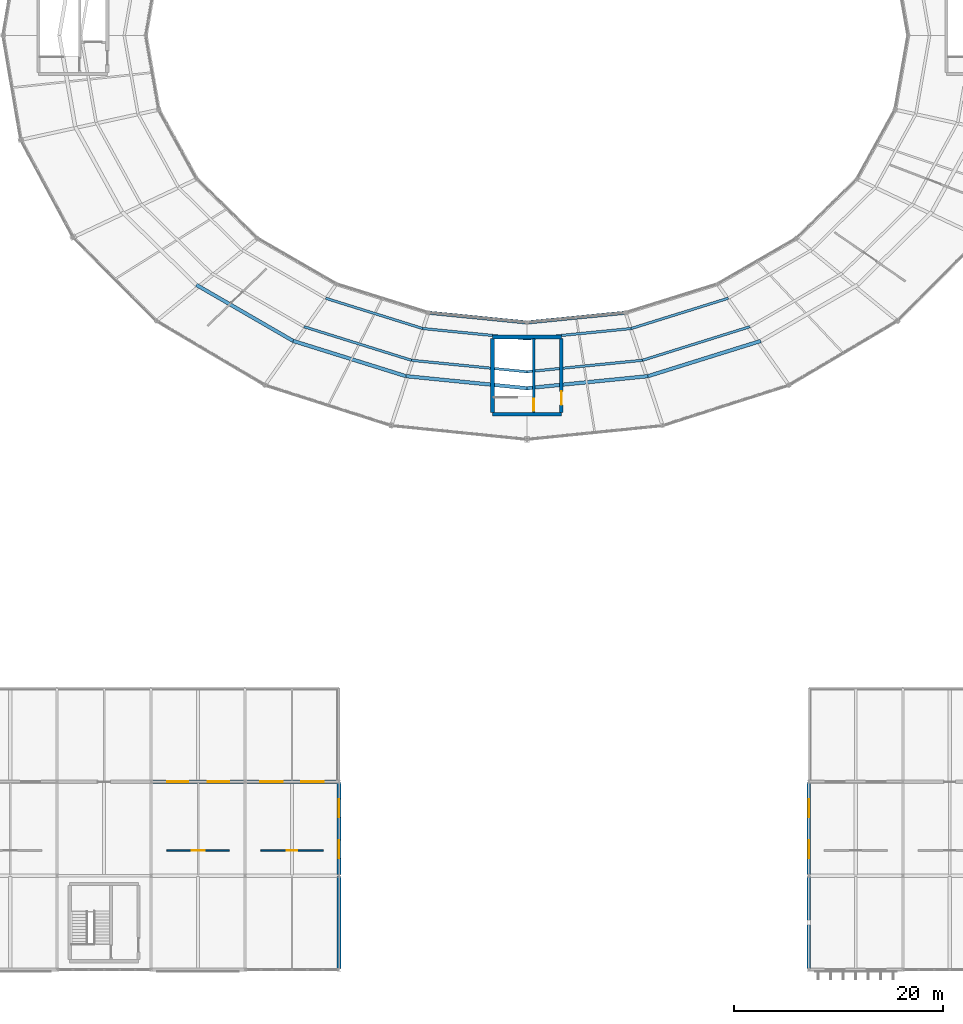
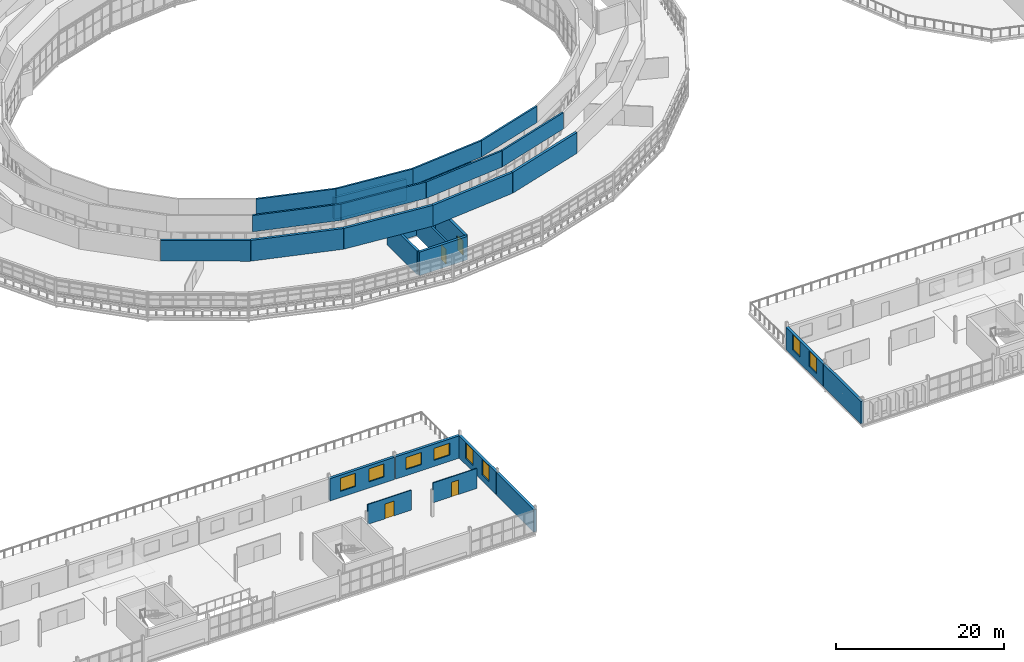
# One storey, part 99 of 123: 28 walls, 8 windows, 4 doors, 12 openings.
"""IFC4 building model written with IfcOpenShell, lengths in metres."""

from ifc_helpers import new_model, si_unit, direction, frame, frame_2d, origin, place, context, subcontext, project, spatial, rectangle, extrude, material, layer, layer_set, type_object, element, fill, save


model = new_model("IFC4")

# Units and contexts
model_context = context("Model", 3, precision=1e-05, world=origin(), true_north=direction((0.0, 1.0)))
body_context = subcontext(model_context, "Body", "Model", "MODEL_VIEW")
ifc_project = project(units=[si_unit("LENGTHUNIT", "METRE"), si_unit("AREAUNIT", "SQUARE_METRE"), si_unit("VOLUMEUNIT", "CUBIC_METRE"), si_unit("PLANEANGLEUNIT", "RADIAN"), si_unit("MASSUNIT", "GRAM", prefix="KILO")], contexts=[model_context])

# Site, building, storey
site_placement = place(None, origin())
site = spatial("IfcSite", under=ifc_project, at=site_placement, CompositionType="ELEMENT")
building_placement = place(site_placement, origin())
building = spatial("IfcBuilding", under=site, at=building_placement, Name="Kildeholm Park Wholesale Market", CompositionType="ELEMENT")
storey_placement = place(building_placement, frame((0.0, 0.0, 9.60009765625)))
storey = spatial("IfcBuildingStorey", under=building, at=storey_placement, Name="L02", CompositionType="ELEMENT", Elevation=9.60009765625)

# Wall, openings, windows
ifc_material_1 = material(Name="Red Danish clinker brick masonry with Concrete C35/45 backing", Category="masonry")
ifc_layer_1 = layer(ifc_material_1, 0.360107421875)
ifc_layer_set_1 = layer_set([ifc_layer_1], Name="Red Danish clinker brick masonry with Concrete C35/45 backing")
wall_type_1 = type_object("IfcWallType", Name="Exterior wall W-EX1 360 mm", PredefinedType="SOLIDWALL", material=ifc_layer_set_1)
wall_1_placement = place(storey_placement, frame((63.06005859375, 18.0, 0.0), z_axis=(0.0, 0.0, 1.0), x_axis=(1.0, 0.0, 0.0)))
wall_1 = element("IfcWall", 1, at=wall_1_placement, inside=storey, type_object=wall_type_1, Name="Exterior wall V5W-L02-N.7 WL-0545", PredefinedType="SOLIDWALL", context=body_context, shape_type="SweptSolid", body=[
    extrude(rectangle(XDim=8.8798828125, YDim=0.360107421875, at=frame_2d((4.43994140625, 0.0))), origin(), (0.0, 0.0, 1.0), 3.25),
])
opening_1_placement = place(wall_1_placement, frame((1.4609375, 0.0, 0.89990234375)))
opening_1 = element("IfcOpeningElement", 2, at=opening_1_placement, cuts=wall_1, Name="Opening WN-31", PredefinedType="OPENING", context=body_context, shape_type="SweptSolid", body=[
    extrude(rectangle(XDim=2.050048828125, YDim=1.89990234375, at=frame_2d((1.02490234375, 0.949951171875))), frame((0.0, 0.18994140625, 0.0), z_axis=(0.0, -1.0, 0.0), x_axis=(1.0, 0.0, 0.0)), (0.0, 0.0, 1.0), 0.380126953125),
])
opening_2_placement = place(wall_1_placement, frame((5.368896484375, 0.0, 0.89990234375)))
opening_2 = element("IfcOpeningElement", 3, at=opening_2_placement, cuts=wall_1, Name="Opening WN-31", PredefinedType="OPENING", context=body_context, shape_type="SweptSolid", body=[
    extrude(rectangle(XDim=2.050048828125, YDim=1.89990234375, at=frame_2d((1.02490234375, 0.949951171875))), frame((0.0, 0.18994140625, 0.0), z_axis=(0.0, -1.0, 0.0), x_axis=(1.0, 0.0, 0.0)), (0.0, 0.0, 1.0), 0.380126953125),
])
ifc_material_2 = material(Name="Thermally broken aluminium and triple-glazed low-E glass", Category="aluminium")
window_type_1 = type_object("IfcWindowType", Name="Window WN-31 2050x1900", PartitioningType="TRIPLE_PANEL_VERTICAL", PredefinedType="WINDOW", material=ifc_material_2)
window_1_placement = place(opening_1_placement, origin())
window_1 = element("IfcWindow", 4, at=window_1_placement, inside=storey, type_object=window_type_1, Name="Window V5W-L02-N.7.1 WIN-0331", OverallHeight=1.89990234375, OverallWidth=2.050048828125, PartitioningType="SINGLE_PANEL", PredefinedType="WINDOW", context=body_context, shape_type="SweptSolid", body=[
    extrude(rectangle(XDim=2.050048828125, YDim=1.89990234375, at=frame_2d((1.02490234375, 0.949951171875))), frame((0.0, 0.030029296875, 0.0), z_axis=(0.0, -1.0, 0.0), x_axis=(1.0, 0.0, 0.0)), (0.0, 0.0, 1.0), 0.06005859375),
])
fill(opening_1, window_1)
window_2_placement = place(opening_2_placement, origin())
window_2 = element("IfcWindow", 5, at=window_2_placement, inside=storey, type_object=window_type_1, Name="Window V5W-L02-N.7.2 WIN-0332", OverallHeight=1.89990234375, OverallWidth=2.050048828125, PartitioningType="SINGLE_PANEL", PredefinedType="WINDOW", context=body_context, shape_type="SweptSolid", body=[
    extrude(rectangle(XDim=2.050048828125, YDim=1.89990234375, at=frame_2d((1.02490234375, 0.949951171875))), frame((0.0, 0.030029296875, 0.0), z_axis=(0.0, -1.0, 0.0), x_axis=(1.0, 0.0, 0.0)), (0.0, 0.0, 1.0), 0.06005859375),
])
fill(opening_2, window_2)

wall_2_placement = place(storey_placement, frame((72.06005859375, 18.0, 0.0), z_axis=(0.0, 0.0, 1.0), x_axis=(1.0, 0.0, 0.0)))
wall_2 = element("IfcWall", 6, at=wall_2_placement, inside=storey, type_object=wall_type_1, Name="Exterior wall V5W-L02-N.8 WL-0546", PredefinedType="SOLIDWALL", context=body_context, shape_type="SweptSolid", body=[
    extrude(rectangle(XDim=8.8798828125, YDim=0.360107421875, at=frame_2d((4.43994140625, 0.0))), origin(), (0.0, 0.0, 1.0), 3.25),
])
opening_3_placement = place(wall_2_placement, frame((1.410888671875, 0.0, 0.89990234375)))
opening_3 = element("IfcOpeningElement", 7, at=opening_3_placement, cuts=wall_2, Name="Opening WN-32", PredefinedType="OPENING", context=body_context, shape_type="SweptSolid", body=[
    extrude(rectangle(XDim=2.14990234375, YDim=1.75, at=frame_2d((1.074951171875, 0.875))), frame((0.0, 0.18994140625, 0.0), z_axis=(0.0, -1.0, 0.0), x_axis=(1.0, 0.0, 0.0)), (0.0, 0.0, 1.0), 0.380126953125),
])
opening_4_placement = place(wall_2_placement, frame((5.319091796875, 0.0, 0.89990234375)))
opening_4 = element("IfcOpeningElement", 8, at=opening_4_placement, cuts=wall_2, Name="Opening WN-32", PredefinedType="OPENING", context=body_context, shape_type="SweptSolid", body=[
    extrude(rectangle(XDim=2.14990234375, YDim=1.75, at=frame_2d((1.074951171875, 0.875))), frame((0.0, 0.18994140625, 0.0), z_axis=(0.0, -1.0, 0.0), x_axis=(1.0, 0.0, 0.0)), (0.0, 0.0, 1.0), 0.380126953125),
])
window_type_2 = type_object("IfcWindowType", Name="Window WN-32 2150x1750", PartitioningType="TRIPLE_PANEL_VERTICAL", PredefinedType="WINDOW", material=ifc_material_2)
window_3_placement = place(opening_3_placement, origin())
window_3 = element("IfcWindow", 9, at=window_3_placement, inside=storey, type_object=window_type_2, Name="Window V5W-L02-N.8.1 WIN-0333", OverallHeight=1.75, OverallWidth=2.14990234375, PartitioningType="SINGLE_PANEL", PredefinedType="WINDOW", context=body_context, shape_type="SweptSolid", body=[
    extrude(rectangle(XDim=2.14990234375, YDim=1.75, at=frame_2d((1.074951171875, 0.875))), frame((0.0, 0.030029296875, 0.0), z_axis=(0.0, -1.0, 0.0), x_axis=(1.0, 0.0, 0.0)), (0.0, 0.0, 1.0), 0.06005859375),
])
fill(opening_3, window_3)
window_4_placement = place(opening_4_placement, origin())
window_4 = element("IfcWindow", 10, at=window_4_placement, inside=storey, type_object=window_type_2, Name="Window V5W-L02-N.8.2 WIN-0334", OverallHeight=1.75, OverallWidth=2.14990234375, PartitioningType="SINGLE_PANEL", PredefinedType="WINDOW", context=body_context, shape_type="SweptSolid", body=[
    extrude(rectangle(XDim=2.14990234375, YDim=1.75, at=frame_2d((1.074951171875, 0.875))), frame((0.0, 0.030029296875, 0.0), z_axis=(0.0, -1.0, 0.0), x_axis=(1.0, 0.0, 0.0)), (0.0, 0.0, 1.0), 0.06005859375),
])
fill(opening_4, window_4)

# Wall
wall_3_placement = place(storey_placement, frame((81.0, 0.06005859375, 0.0), z_axis=(0.0, 0.0, 1.0), x_axis=(0.0, 1.0, 0.0)))
element("IfcWall", 11, at=wall_3_placement, inside=storey, type_object=wall_type_1, Name="Exterior wall V5W-L02-E.1 WL-0549", PredefinedType="SOLIDWALL", context=body_context, shape_type="SweptSolid", body=[
    extrude(rectangle(XDim=8.8798828125, YDim=0.360107421875, at=frame_2d((4.43994140625, 0.0))), origin(), (0.0, 0.0, 1.0), 3.25),
])

# Wall, openings, windows
wall_4_placement = place(storey_placement, frame((81.0, 9.06005859375, 0.0), z_axis=(0.0, 0.0, 1.0), x_axis=(0.0, 1.0, 0.0)))
wall_4 = element("IfcWall", 12, at=wall_4_placement, inside=storey, type_object=wall_type_1, Name="Exterior wall V5W-L02-E.2 WL-0550", PredefinedType="SOLIDWALL", context=body_context, shape_type="SweptSolid", body=[
    extrude(rectangle(XDim=8.8798828125, YDim=0.360107421875, at=frame_2d((4.43994140625, 0.0))), origin(), (0.0, 0.0, 1.0), 3.25),
])
opening_5_placement = place(wall_4_placement, frame((1.611083984375, 0.0, 0.89990234375)))
opening_5 = element("IfcOpeningElement", 13, at=opening_5_placement, cuts=wall_4, Name="Opening WN-25", PredefinedType="OPENING", context=body_context, shape_type="SweptSolid", body=[
    extrude(rectangle(XDim=1.75, YDim=2.25, at=frame_2d((0.875, 1.125))), frame((0.0, 0.18994140625, 0.0), z_axis=(0.0, -1.0, 0.0), x_axis=(1.0, 0.0, 0.0)), (0.0, 0.0, 1.0), 0.380126953125),
])
opening_6_placement = place(wall_4_placement, frame((5.51904296875, 0.0, 0.89990234375)))
opening_6 = element("IfcOpeningElement", 14, at=opening_6_placement, cuts=wall_4, Name="Opening WN-25", PredefinedType="OPENING", context=body_context, shape_type="SweptSolid", body=[
    extrude(rectangle(XDim=1.75, YDim=2.25, at=frame_2d((0.875, 1.125))), frame((0.0, 0.18994140625, 0.0), z_axis=(0.0, -1.0, 0.0), x_axis=(1.0, 0.0, 0.0)), (0.0, 0.0, 1.0), 0.380126953125),
])
window_type_3 = type_object("IfcWindowType", Name="Window WN-25 1750x2250", PartitioningType="DOUBLE_PANEL_VERTICAL", PredefinedType="WINDOW", material=ifc_material_2)
window_5_placement = place(opening_5_placement, origin())
window_5 = element("IfcWindow", 15, at=window_5_placement, inside=storey, type_object=window_type_3, Name="Window V5W-L02-E.2.1 WIN-0337", OverallHeight=2.25, OverallWidth=1.75, PartitioningType="SINGLE_PANEL", PredefinedType="WINDOW", context=body_context, shape_type="SweptSolid", body=[
    extrude(rectangle(XDim=1.75, YDim=2.25, at=frame_2d((0.875, 1.125))), frame((0.0, 0.030029296875, 0.0), z_axis=(0.0, -1.0, 0.0), x_axis=(1.0, 0.0, 0.0)), (0.0, 0.0, 1.0), 0.06005859375),
])
fill(opening_5, window_5)
window_6_placement = place(opening_6_placement, origin())
window_6 = element("IfcWindow", 16, at=window_6_placement, inside=storey, type_object=window_type_3, Name="Window V5W-L02-E.2.2 WIN-0338", OverallHeight=2.25, OverallWidth=1.75, PartitioningType="SINGLE_PANEL", PredefinedType="WINDOW", context=body_context, shape_type="SweptSolid", body=[
    extrude(rectangle(XDim=1.75, YDim=2.25, at=frame_2d((0.875, 1.125))), frame((0.0, 0.030029296875, 0.0), z_axis=(0.0, -1.0, 0.0), x_axis=(1.0, 0.0, 0.0)), (0.0, 0.0, 1.0), 0.06005859375),
])
fill(opening_6, window_6)

# Wall
wall_5_placement = place(storey_placement, frame((126.0, 0.06005859375, 0.0), z_axis=(0.0, 0.0, 1.0), x_axis=(0.0, 1.0, 0.0)))
element("IfcWall", 17, at=wall_5_placement, inside=storey, type_object=wall_type_1, Name="Exterior wall V5E-L02-W.1 WL-0623", PredefinedType="SOLIDWALL", context=body_context, shape_type="SweptSolid", body=[
    extrude(rectangle(XDim=8.8798828125, YDim=0.360107421875, at=frame_2d((4.43994140625, 0.0))), origin(), (0.0, 0.0, 1.0), 3.25),
])

# Wall, openings, windows
wall_6_placement = place(storey_placement, frame((126.0, 9.06005859375, 0.0), z_axis=(0.0, 0.0, 1.0), x_axis=(0.0, 1.0, 0.0)))
wall_6 = element("IfcWall", 18, at=wall_6_placement, inside=storey, type_object=wall_type_1, Name="Exterior wall V5E-L02-W.2 WL-0624", PredefinedType="SOLIDWALL", context=body_context, shape_type="SweptSolid", body=[
    extrude(rectangle(XDim=8.8798828125, YDim=0.360107421875, at=frame_2d((4.43994140625, 0.0))), origin(), (0.0, 0.0, 1.0), 3.25),
])
opening_7_placement = place(wall_6_placement, frame((1.611083984375, 0.0, 0.89990234375)))
opening_7 = element("IfcOpeningElement", 19, at=opening_7_placement, cuts=wall_6, Name="Opening WN-25", PredefinedType="OPENING", context=body_context, shape_type="SweptSolid", body=[
    extrude(rectangle(XDim=1.75, YDim=2.25, at=frame_2d((0.875, 1.125))), frame((0.0, 0.18994140625, 0.0), z_axis=(0.0, -1.0, 0.0), x_axis=(1.0, 0.0, 0.0)), (0.0, 0.0, 1.0), 0.380126953125),
])
opening_8_placement = place(wall_6_placement, frame((5.51904296875, 0.0, 0.89990234375)))
opening_8 = element("IfcOpeningElement", 20, at=opening_8_placement, cuts=wall_6, Name="Opening WN-25", PredefinedType="OPENING", context=body_context, shape_type="SweptSolid", body=[
    extrude(rectangle(XDim=1.75, YDim=2.25, at=frame_2d((0.875, 1.125))), frame((0.0, 0.18994140625, 0.0), z_axis=(0.0, -1.0, 0.0), x_axis=(1.0, 0.0, 0.0)), (0.0, 0.0, 1.0), 0.380126953125),
])
window_7_placement = place(opening_7_placement, origin())
window_7 = element("IfcWindow", 21, at=window_7_placement, inside=storey, type_object=window_type_3, Name="Window V5E-L02-W.2.1 WIN-0434", OverallHeight=2.25, OverallWidth=1.75, PartitioningType="SINGLE_PANEL", PredefinedType="WINDOW", context=body_context, shape_type="SweptSolid", body=[
    extrude(rectangle(XDim=1.75, YDim=2.25, at=frame_2d((0.875, 1.125))), frame((0.0, 0.030029296875, 0.0), z_axis=(0.0, -1.0, 0.0), x_axis=(1.0, 0.0, 0.0)), (0.0, 0.0, 1.0), 0.06005859375),
])
fill(opening_7, window_7)
window_8_placement = place(opening_8_placement, origin())
window_8 = element("IfcWindow", 22, at=window_8_placement, inside=storey, type_object=window_type_3, Name="Window V5E-L02-W.2.2 WIN-0435", OverallHeight=2.25, OverallWidth=1.75, PartitioningType="SINGLE_PANEL", PredefinedType="WINDOW", context=body_context, shape_type="SweptSolid", body=[
    extrude(rectangle(XDim=1.75, YDim=2.25, at=frame_2d((0.875, 1.125))), frame((0.0, 0.030029296875, 0.0), z_axis=(0.0, -1.0, 0.0), x_axis=(1.0, 0.0, 0.0)), (0.0, 0.0, 1.0), 0.06005859375),
])
fill(opening_8, window_8)

# Walls
ifc_material_3 = material(Name="Precast concrete C40/50 architectural rainscreen wall", Category="concrete")
ifc_layer_2 = layer(ifc_material_3, 0.340087890625)
ifc_layer_set_2 = layer_set([ifc_layer_2], Name="Precast concrete C40/50 architectural rainscreen wall")
wall_type_2 = type_object("IfcWallType", Name="Exterior wall W-EX4 340 mm", PredefinedType="SOLIDWALL", material=ifc_layer_set_2)
wall_7_placement = place(storey_placement, frame((67.322021484375, 65.60009765625, 4.52978515625), z_axis=(0.0, 0.0, 1.0), x_axis=(0.865403937833, -0.501074869039, 0.0)))
element("IfcWall", 23, at=wall_7_placement, inside=storey, type_object=wall_type_2, Name="Vault lantern clerestory wall 16 WL-0131", PredefinedType="SOLIDWALL", context=body_context, shape_type="SweptSolid", body=[
    extrude(rectangle(XDim=10.72119140625, YDim=0.340087890625, at=frame_2d((5.360595703125, 0.0))), origin(), (0.0, 0.0, 1.0), 3.02001953125),
])
wall_8_placement = place(storey_placement, frame((76.60009765625, 60.22802734375, 4.52978515625), z_axis=(0.0, 0.0, 1.0), x_axis=(0.95449417592, -0.298229556107, 0.0)))
element("IfcWall", 24, at=wall_8_placement, inside=storey, type_object=wall_type_2, Name="Vault lantern clerestory wall 17 WL-0140", PredefinedType="SOLIDWALL", context=body_context, shape_type="SweptSolid", body=[
    extrude(rectangle(XDim=11.320068359375, YDim=0.340087890625, at=frame_2d((5.66015625, 0.0))), origin(), (0.0, 0.0, 1.0), 3.02001953125),
])
wall_9_placement = place(storey_placement, frame((77.636962890625, 61.592041015625, 7.579833984375), z_axis=(0.0, 0.0, 1.0), x_axis=(0.954514174424, -0.298165542651, 0.0)))
element("IfcWall", 25, at=wall_9_placement, inside=storey, type_object=wall_type_2, Name="Vault crown outer clerestory 17 WL-0142", PredefinedType="SOLIDWALL", context=body_context, shape_type="SweptSolid", body=[
    extrude(rectangle(XDim=10.7958984375, YDim=0.239990234375, at=frame_2d((5.39794921875, 0.0))), origin(), (0.0, 0.0, 1.0), 2.3701171875),
])
wall_10_placement = place(storey_placement, frame((79.7119140625, 64.320068359375, 7.579833984375), z_axis=(0.0, 0.0, 1.0), x_axis=(0.954582431614, -0.29794694369, 0.0)))
element("IfcWall", 26, at=wall_10_placement, inside=storey, type_object=wall_type_2, Name="Vault crown inner clerestory 17 WL-0143", PredefinedType="SOLIDWALL", context=body_context, shape_type="SweptSolid", body=[
    extrude(rectangle(XDim=9.746826171875, YDim=0.239990234375, at=frame_2d((4.87353515625, 0.0))), origin(), (0.0, 0.0, 1.0), 2.3701171875),
])
wall_11_placement = place(storey_placement, frame((87.405029296875, 56.85205078125, 4.52978515625), z_axis=(0.0, 0.0, 1.0), x_axis=(0.995099849345, -0.098875122419, 0.0)))
element("IfcWall", 27, at=wall_11_placement, inside=storey, type_object=wall_type_2, Name="Vault lantern clerestory wall 18 WL-0149", PredefinedType="SOLIDWALL", context=body_context, shape_type="SweptSolid", body=[
    extrude(rectangle(XDim=11.652099609375, YDim=0.340087890625, at=frame_2d((5.826171875, 0.0))), origin(), (0.0, 0.0, 1.0), 3.02001953125),
])
wall_12_placement = place(storey_placement, frame((89.552978515625, 62.93701171875, 4.389892578125), z_axis=(0.0, 0.0, 1.0), x_axis=(0.995117073258, -0.098701623651, 0.0)))
element("IfcWall", 28, at=wall_12_placement, inside=storey, type_object=wall_type_2, Name="Vault inner lower wall 18 WL-0150", PredefinedType="SOLIDWALL", context=body_context, shape_type="SweptSolid", body=[
    extrude(rectangle(XDim=9.493408203125, YDim=0.340087890625, at=frame_2d((4.74658203125, 0.0))), origin(), (0.0, 0.0, 1.0), 3.159912109375),
])
wall_13_placement = place(storey_placement, frame((87.94189453125, 58.373046875, 7.579833984375), z_axis=(0.0, 0.0, 1.0), x_axis=(0.995105258288, -0.098820670548, 0.0)))
element("IfcWall", 29, at=wall_13_placement, inside=storey, type_object=wall_type_2, Name="Vault crown outer clerestory 18 WL-0151", PredefinedType="SOLIDWALL", context=body_context, shape_type="SweptSolid", body=[
    extrude(rectangle(XDim=11.112548828125, YDim=0.239990234375, at=frame_2d((5.55615234375, 0.0))), origin(), (0.0, 0.0, 1.0), 2.3701171875),
])
wall_14_placement = place(storey_placement, frame((89.01611328125, 61.416015625, 7.579833984375), z_axis=(0.0, 0.0, 1.0), x_axis=(0.995110163253, -0.098771266021, 0.0)))
element("IfcWall", 30, at=wall_14_placement, inside=storey, type_object=wall_type_2, Name="Vault crown inner clerestory 18 WL-0152", PredefinedType="SOLIDWALL", context=body_context, shape_type="SweptSolid", body=[
    extrude(rectangle(XDim=10.032958984375, YDim=0.239990234375, at=frame_2d((5.0166015625, 0.0))), origin(), (0.0, 0.0, 1.0), 2.3701171875),
])
wall_15_placement = place(storey_placement, frame((99.0, 55.699951171875, 4.52978515625), z_axis=(0.0, 0.0, 1.0), x_axis=(0.995099849345, 0.098875122419, 0.0)))
element("IfcWall", 31, at=wall_15_placement, inside=storey, type_object=wall_type_2, Name="Vault lantern clerestory wall 19 WL-0158", PredefinedType="SOLIDWALL", context=body_context, shape_type="SweptSolid", body=[
    extrude(rectangle(XDim=11.652099609375, YDim=0.340087890625, at=frame_2d((5.826171875, 0.0))), origin(), (0.0, 0.0, 1.0), 3.02001953125),
])
wall_16_placement = place(storey_placement, frame((99.0, 62.0, 4.389892578125), z_axis=(0.0, 0.0, 1.0), x_axis=(0.995117073258, 0.098701623651, 0.0)))
element("IfcWall", 32, at=wall_16_placement, inside=storey, type_object=wall_type_2, Name="Vault inner lower wall 19 WL-0159", PredefinedType="SOLIDWALL", context=body_context, shape_type="SweptSolid", body=[
    extrude(rectangle(XDim=9.493408203125, YDim=0.340087890625, at=frame_2d((4.74658203125, 0.0))), origin(), (0.0, 0.0, 1.0), 3.159912109375),
])
wall_17_placement = place(storey_placement, frame((99.0, 57.27490234375, 7.579833984375), z_axis=(0.0, 0.0, 1.0), x_axis=(0.995105258288, 0.098820670548, 0.0)))
element("IfcWall", 33, at=wall_17_placement, inside=storey, type_object=wall_type_2, Name="Vault crown outer clerestory 19 WL-0160", PredefinedType="SOLIDWALL", context=body_context, shape_type="SweptSolid", body=[
    extrude(rectangle(XDim=11.112548828125, YDim=0.239990234375, at=frame_2d((5.55615234375, 0.0))), origin(), (0.0, 0.0, 1.0), 2.3701171875),
])
wall_18_placement = place(storey_placement, frame((99.0, 60.425048828125, 7.579833984375), z_axis=(0.0, 0.0, 1.0), x_axis=(0.995110163253, 0.098771266021, 0.0)))
element("IfcWall", 34, at=wall_18_placement, inside=storey, type_object=wall_type_2, Name="Vault crown inner clerestory 19 WL-0161", PredefinedType="SOLIDWALL", context=body_context, shape_type="SweptSolid", body=[
    extrude(rectangle(XDim=10.032958984375, YDim=0.239990234375, at=frame_2d((5.0166015625, 0.0))), origin(), (0.0, 0.0, 1.0), 2.3701171875),
])
wall_19_placement = place(storey_placement, frame((110.594970703125, 56.85205078125, 4.52978515625), z_axis=(0.0, 0.0, 1.0), x_axis=(0.95449417592, 0.298229556107, 0.0)))
element("IfcWall", 35, at=wall_19_placement, inside=storey, type_object=wall_type_2, Name="Vault lantern clerestory wall 20 WL-0167", PredefinedType="SOLIDWALL", context=body_context, shape_type="SweptSolid", body=[
    extrude(rectangle(XDim=11.320068359375, YDim=0.340087890625, at=frame_2d((5.66015625, 0.0))), origin(), (0.0, 0.0, 1.0), 3.02001953125),
])
wall_20_placement = place(storey_placement, frame((110.05810546875, 58.373046875, 7.579833984375), z_axis=(0.0, 0.0, 1.0), x_axis=(0.954514174424, 0.298165542651, 0.0)))
element("IfcWall", 36, at=wall_20_placement, inside=storey, type_object=wall_type_2, Name="Vault crown outer clerestory 20 WL-0169", PredefinedType="SOLIDWALL", context=body_context, shape_type="SweptSolid", body=[
    extrude(rectangle(XDim=10.7958984375, YDim=0.239990234375, at=frame_2d((5.39794921875, 0.0))), origin(), (0.0, 0.0, 1.0), 2.3701171875),
])
wall_21_placement = place(storey_placement, frame((108.98388671875, 61.416015625, 7.579833984375), z_axis=(0.0, 0.0, 1.0), x_axis=(0.954582431614, 0.29794694369, 0.0)))
element("IfcWall", 37, at=wall_21_placement, inside=storey, type_object=wall_type_2, Name="Vault crown inner clerestory 20 WL-0170", PredefinedType="SOLIDWALL", context=body_context, shape_type="SweptSolid", body=[
    extrude(rectangle(XDim=9.746826171875, YDim=0.239990234375, at=frame_2d((4.87353515625, 0.0))), origin(), (0.0, 0.0, 1.0), 2.3701171875),
])

# Wall, opening, door
ifc_material_4 = material(Name="Glazed office and laboratory acoustic partition")
ifc_layer_3 = layer(ifc_material_4, 0.1298828125)
ifc_layer_set_3 = layer_set([ifc_layer_3], Name="Glazed office and laboratory acoustic partition")
wall_type_3 = type_object("IfcWallType", Name="Partition W-PT12 130 mm", PredefinedType="PARTITIONING", material=ifc_layer_set_3)
wall_22_placement = place(storey_placement, frame((64.5, 11.39990234375, 0.0), z_axis=(0.0, 0.0, 1.0), x_axis=(1.0, 0.0, 0.0)))
wall_22 = element("IfcWall", 38, at=wall_22_placement, inside=storey, type_object=wall_type_3, Name="Interior partition W-V5W-L02-C7 WL-1020", PredefinedType="PARTITIONING", context=body_context, shape_type="SweptSolid", body=[
    extrude(rectangle(XDim=6.0, YDim=0.1298828125, at=frame_2d((3.0, 0.0))), origin(), (0.0, 0.0, 1.0), 2.89990234375),
])
opening_9_placement = place(wall_22_placement, frame((2.375, 0.0, 0.0)))
opening_9 = element("IfcOpeningElement", 39, at=opening_9_placement, cuts=wall_22, Name="Opening D-IN04", PredefinedType="OPENING", context=body_context, shape_type="SweptSolid", body=[
    extrude(rectangle(XDim=1.25, YDim=2.14990234375, at=frame_2d((0.625, 1.074951171875))), frame((0.0, 0.074951171875, 0.0), z_axis=(0.0, -1.0, 0.0), x_axis=(1.0, 0.0, 0.0)), (0.0, 0.0, 1.0), 0.14990234375),
])
ifc_material_5 = material(Name="Acoustic glazed laboratory doorset")
door_type_1 = type_object("IfcDoorType", Name="Interior door D-IN04 1250x2150", OperationType="NOTDEFINED", PredefinedType="DOOR", material=ifc_material_5)
door_1_placement = place(opening_9_placement, origin())
door_1 = element("IfcDoor", 40, at=door_1_placement, inside=storey, type_object=door_type_1, Name="Interior door V5W-L02-C7 DR-0295 WL-1020", OperationType="SINGLE_SWING_LEFT", OverallHeight=2.14990234375, OverallWidth=1.25, PredefinedType="DOOR", context=body_context, shape_type="SweptSolid", body=[
    extrude(rectangle(XDim=1.25, YDim=2.14990234375, at=frame_2d((0.625, 1.074951171875))), frame((0.0, 0.02490234375, 0.0), z_axis=(0.0, -1.0, 0.0), x_axis=(1.0, 0.0, 0.0)), (0.0, 0.0, 1.0), 0.050048828125),
])
fill(opening_9, door_1)

wall_23_placement = place(storey_placement, frame((73.5, 11.39990234375, 0.0), z_axis=(0.0, 0.0, 1.0), x_axis=(1.0, 0.0, 0.0)))
wall_23 = element("IfcWall", 41, at=wall_23_placement, inside=storey, type_object=wall_type_3, Name="Interior partition W-V5W-L02-C8 WL-1021", PredefinedType="PARTITIONING", context=body_context, shape_type="SweptSolid", body=[
    extrude(rectangle(XDim=6.0, YDim=0.1298828125, at=frame_2d((3.0, 0.0))), origin(), (0.0, 0.0, 1.0), 2.89990234375),
])
opening_10_placement = place(wall_23_placement, frame((2.5, 0.0, 0.0)))
opening_10 = element("IfcOpeningElement", 42, at=opening_10_placement, cuts=wall_23, Name="Opening D-IN02", PredefinedType="OPENING", context=body_context, shape_type="SweptSolid", body=[
    extrude(rectangle(XDim=1.0, YDim=2.10009765625, at=frame_2d((0.5, 1.050048828125))), frame((0.0, 0.074951171875, 0.0), z_axis=(0.0, -1.0, 0.0), x_axis=(1.0, 0.0, 0.0)), (0.0, 0.0, 1.0), 0.14990234375),
])
ifc_material_6 = material(Name="Hygienic laminate accessible WC doorset")
door_type_2 = type_object("IfcDoorType", Name="Interior door D-IN02 1000x2100", OperationType="NOTDEFINED", PredefinedType="DOOR", material=ifc_material_6)
door_2_placement = place(opening_10_placement, origin())
door_2 = element("IfcDoor", 43, at=door_2_placement, inside=storey, type_object=door_type_2, Name="Interior door V5W-L02-C8 DR-0296 WL-1021", OperationType="SINGLE_SWING_RIGHT", OverallHeight=2.10009765625, OverallWidth=1.0, PredefinedType="DOOR", context=body_context, shape_type="SweptSolid", body=[
    extrude(rectangle(XDim=1.0, YDim=2.10009765625, at=frame_2d((0.5, 1.050048828125))), frame((0.0, 0.02490234375, 0.0), z_axis=(0.0, -1.0, 0.0), x_axis=(1.0, 0.0, 0.0)), (0.0, 0.0, 1.0), 0.050048828125),
])
fill(opening_10, door_2)

ifc_material_7 = material(Name="Concrete C40/50", Category="concrete")
ifc_layer_4 = layer(ifc_material_7, 0.25)
ifc_layer_set_4 = layer_set([ifc_layer_4], Name="Concrete C40/50")
wall_type_4 = type_object("IfcWallType", Name="Shear wall W-SH2 250 mm", PredefinedType="SHEAR", material=ifc_layer_set_4)
wall_24_placement = place(storey_placement, frame((99.64990234375, 53.35009765625, 0.0), z_axis=(0.0, 0.0, 1.0), x_axis=(0.0, 1.0, 0.0)))
wall_24 = element("IfcWall", 44, at=wall_24_placement, inside=storey, type_object=wall_type_4, Name="Core C10 shaft wall L02 WL-0842", PredefinedType="SHEAR", context=body_context, shape_type="SweptSolid", body=[
    extrude(rectangle(XDim=7.099853515625, YDim=0.25, at=frame_2d((3.5498046875, 0.0))), origin(), (0.0, 0.0, 1.0), 3.39990234375),
])
opening_11_placement = place(wall_24_placement, frame((0.199951171875, 0.0, 0.0)))
opening_11 = element("IfcOpeningElement", 45, at=opening_11_placement, cuts=wall_24, Name="Opening D-CR01", PredefinedType="OPENING", context=body_context, shape_type="SweptSolid", body=[
    extrude(rectangle(XDim=1.14990234375, YDim=2.14990234375, at=frame_2d((0.574951171875, 1.074951171875))), frame((0.0, 0.135009765625, 0.0), z_axis=(0.0, -1.0, 0.0), x_axis=(1.0, 0.0, 0.0)), (0.0, 0.0, 1.0), 0.27001953125),
])
ifc_material_8 = material(Name="Painted steel fire escape doorset", Category="steel")
door_type_3 = type_object("IfcDoorType", Name="Interior door D-CR01 1150x2150", OperationType="NOTDEFINED", PredefinedType="DOOR", material=ifc_material_8)
door_3_placement = place(opening_11_placement, frame((1.14990234375, 0.0, 0.0), z_axis=(0.0, 0.0, 1.0), x_axis=(-1.0, 0.0, 0.0)))
door_3 = element("IfcDoor", 46, at=door_3_placement, inside=storey, type_object=door_type_3, Name="Core C10 stair fire door L02 DR-0172 WL-0842", OperationType="SINGLE_SWING_LEFT", OverallHeight=2.14990234375, OverallWidth=1.14990234375, PredefinedType="DOOR", context=body_context, shape_type="SweptSolid", body=[
    extrude(rectangle(XDim=1.14990234375, YDim=2.14990234375, at=frame_2d((0.574951171875, 1.074951171875))), frame((0.0, 0.02490234375, 0.0), z_axis=(0.0, -1.0, 0.0), x_axis=(1.0, 0.0, 0.0)), (0.0, 0.0, 1.0), 0.050048828125),
])
fill(opening_11, door_3)

# Walls
ifc_layer_5 = layer(ifc_material_7, 0.35009765625)
ifc_layer_set_5 = layer_set([ifc_layer_5], Name="Concrete C40/50")
wall_type_5 = type_object("IfcWallType", Name="Shear wall W-SH3 350 mm", PredefinedType="SHEAR", material=ifc_layer_set_5)
for number, where, z_axis, x_axis, name in (
    (47, (95.699951171875, 53.199951171875, 0.0), (0.0, 0.0, 1.0), (1.0, 0.0, 0.0), "Core C10 south shear wall L02 WL-0838"),
    (48, (95.699951171875, 60.60009765625, 0.0), (0.0, 0.0, 1.0), (1.0, 0.0, 0.0), "Core C10 north shear wall L02 WL-0839"),
):
    element("IfcWall", number, at=place(storey_placement, frame(where, z_axis=z_axis, x_axis=x_axis)), inside=storey, type_object=wall_type_5, Name=name, PredefinedType="SHEAR", context=body_context, shape_type="SweptSolid", body=[
        extrude(rectangle(XDim=6.60009765625, YDim=0.35009765625, at=frame_2d((3.300048828125, 0.0))), origin(), (0.0, 0.0, 1.0), 3.39990234375),
    ])
wall_25_placement = place(storey_placement, frame((95.699951171875, 53.35009765625, 0.0), z_axis=(0.0, 0.0, 1.0), x_axis=(0.0, 1.0, 0.0)))
element("IfcWall", 49, at=wall_25_placement, inside=storey, type_object=wall_type_5, Name="Core C10 west shear wall L02 WL-0840", PredefinedType="SHEAR", context=body_context, shape_type="SweptSolid", body=[
    extrude(rectangle(XDim=7.099853515625, YDim=0.35009765625, at=frame_2d((3.5498046875, 0.0))), origin(), (0.0, 0.0, 1.0), 3.39990234375),
])

# Wall, opening, door
wall_26_placement = place(storey_placement, frame((102.300048828125, 53.35009765625, 0.0), z_axis=(0.0, 0.0, 1.0), x_axis=(0.0, 1.0, 0.0)))
wall_26 = element("IfcWall", 50, at=wall_26_placement, inside=storey, type_object=wall_type_5, Name="Core C10 east shear wall L02 WL-0841", PredefinedType="SHEAR", context=body_context, shape_type="SweptSolid", body=[
    extrude(rectangle(XDim=7.099853515625, YDim=0.35009765625, at=frame_2d((3.5498046875, 0.0))), origin(), (0.0, 0.0, 1.0), 3.39990234375),
])
opening_12_placement = place(wall_26_placement, frame((0.75, 0.0, 0.0)))
opening_12 = element("IfcOpeningElement", 51, at=opening_12_placement, cuts=wall_26, Name="Opening D-CR02", PredefinedType="OPENING", context=body_context, shape_type="SweptSolid", body=[
    extrude(rectangle(XDim=1.300048828125, YDim=2.14990234375, at=frame_2d((0.64990234375, 1.074951171875))), frame((0.0, 0.18505859375, 0.0), z_axis=(0.0, -1.0, 0.0), x_axis=(1.0, 0.0, 0.0)), (0.0, 0.0, 1.0), 0.3701171875),
])
ifc_material_9 = material(Name="Painted steel core lobby double-leaf doorset", Category="steel")
door_type_4 = type_object("IfcDoorType", Name="Interior door D-CR02 1300x2150", OperationType="NOTDEFINED", PredefinedType="DOOR", material=ifc_material_9)
door_4_placement = place(opening_12_placement, frame((1.300048828125, 0.0, 0.0), z_axis=(0.0, 0.0, 1.0), x_axis=(-1.0, 0.0, 0.0)))
door_4 = element("IfcDoor", 52, at=door_4_placement, inside=storey, type_object=door_type_4, Name="Core C10 lobby entrance door L02 DR-0171 WL-0841", OperationType="DOUBLE_DOOR_SINGLE_SWING", OverallHeight=2.14990234375, OverallWidth=1.300048828125, PredefinedType="DOOR", context=body_context, shape_type="SweptSolid", body=[
    extrude(rectangle(XDim=1.300048828125, YDim=2.14990234375, at=frame_2d((0.64990234375, 1.074951171875))), frame((0.0, 0.02490234375, 0.0), z_axis=(0.0, -1.0, 0.0), x_axis=(1.0, 0.0, 0.0)), (0.0, 0.0, 1.0), 0.050048828125),
])
fill(opening_12, door_4)

save(model, "model.ifc")
